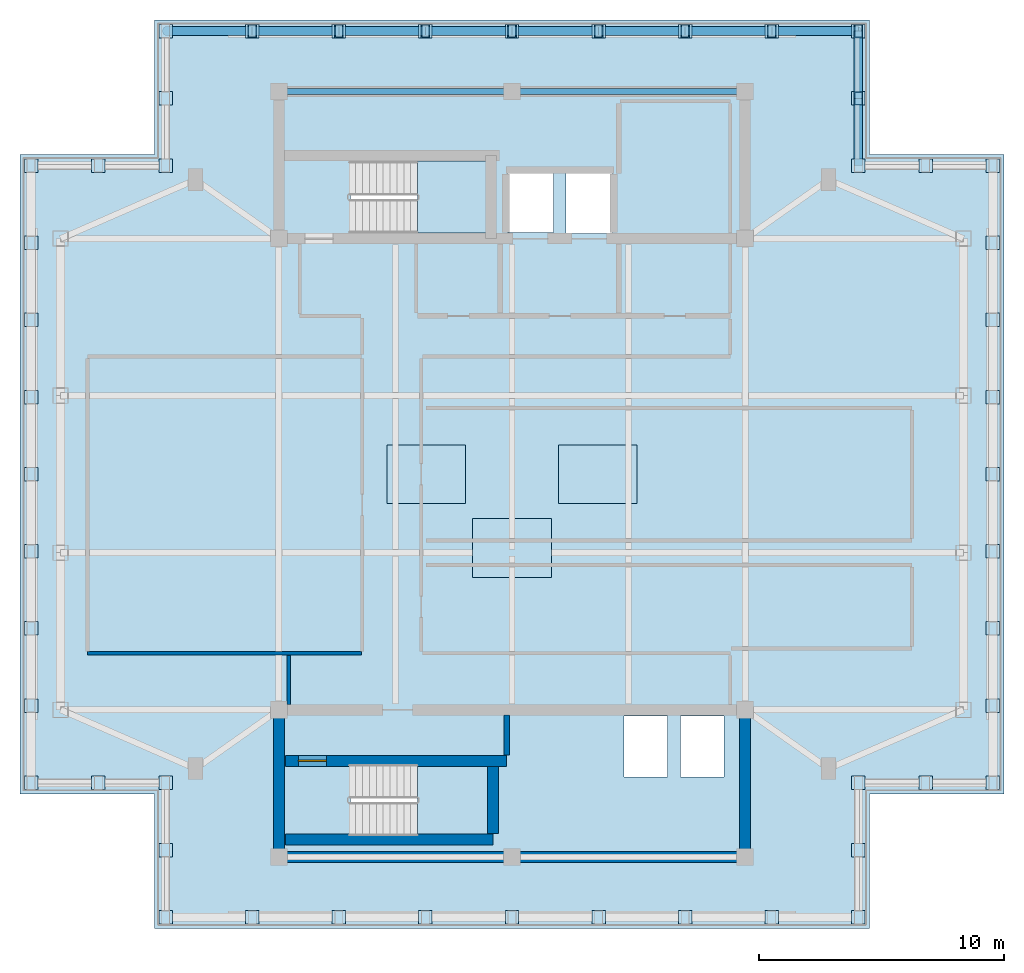
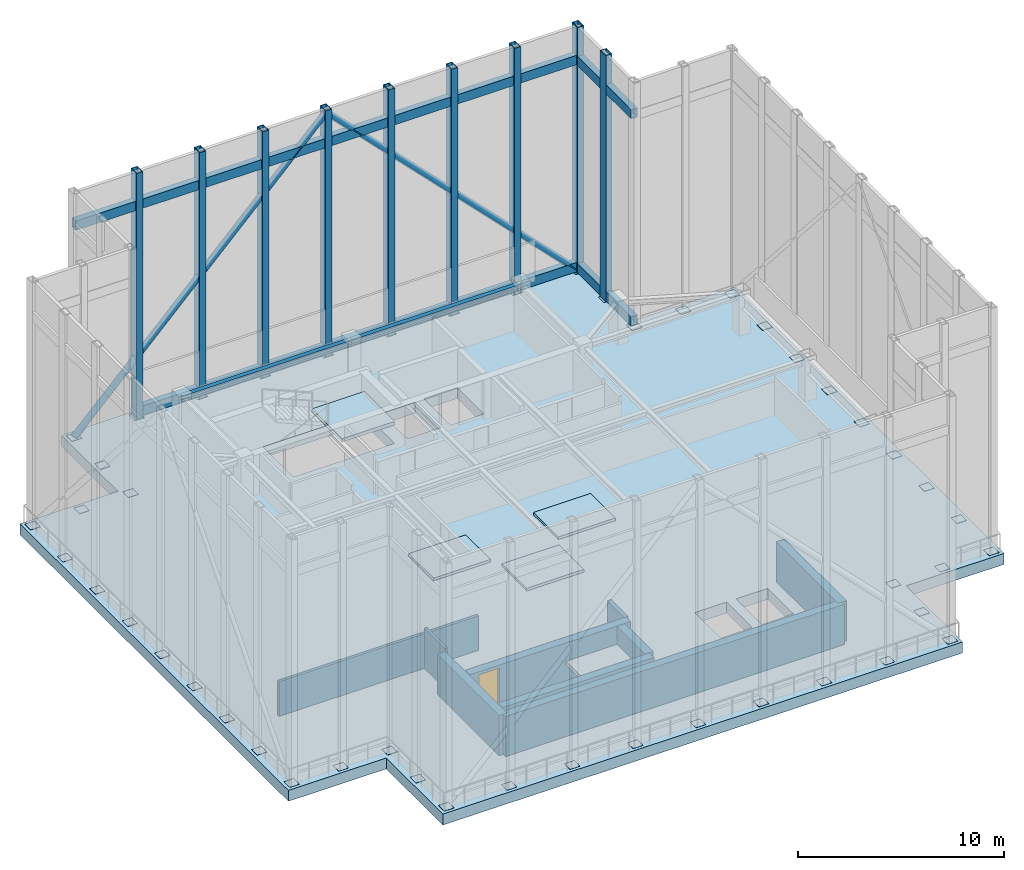
# One storey, part 3 of 8: 48 plates, 30 members, 9 walls, 6 slabs, 2 beams, 1 door, 1 opening, 2 elements without a shape of their own.
"""IFC4 building model written with IfcOpenShell, lengths in metres."""

from ifc_helpers import new_model, si_unit, direction, frame, frame_2d, origin, origin_2d, place, context, subcontext, project, spatial, polyline, rectangle, hollow_rectangle, hollow_circle, i_section, outline, extrude, material, layer, layer_set, material_profile, profile_set, type_object, element, fill, aggregate, save


model = new_model("IFC4")

# Units and contexts
model_context = context("Model", 3, precision=1e-05, world=origin(), true_north=direction((0.0, 1.0)))
body_context = subcontext(model_context, "Body", "Model", "MODEL_VIEW")
ifc_project = project(units=[si_unit("LENGTHUNIT", "METRE"), si_unit("AREAUNIT", "SQUARE_METRE"), si_unit("VOLUMEUNIT", "CUBIC_METRE"), si_unit("PLANEANGLEUNIT", "RADIAN"), si_unit("MASSUNIT", "GRAM", prefix="KILO")], contexts=[model_context])

# Site, building, storey
site_placement = place(None, origin())
site = spatial("IfcSite", under=ifc_project, at=site_placement, CompositionType="ELEMENT")
building_placement = place(site_placement, origin())
building = spatial("IfcBuilding", under=site, at=building_placement, Name="Mirazonda Arch Towers", CompositionType="ELEMENT")
storey_placement = place(building_placement, frame((0.0, 0.0, 263.5)))
storey = spatial("IfcBuildingStorey", under=building, at=storey_placement, Name="L75", CompositionType="ELEMENT", Elevation=263.5)

# Beams
ifc_material_1 = material(Name="Steel ASTM A992 Grade 50", Category="steel")
ifc_material_profile_1 = material_profile(ifc_material_1, i_section(OverallWidth=0.257080078125, OverallDepth=0.330078125, WebThickness=0.011962890625, FlangeThickness=0.01953125, at=origin_2d()), Name="W10X68")
ifc_profile_set_1 = profile_set([ifc_material_profile_1], Name="Steel ASTM A992 Grade 50")
beam_type = type_object("IfcBeamType", Name="BM-INT-W10X68", PredefinedType="BEAM", material=ifc_profile_set_1)
for number, where, z_axis, x_axis, name in (
    (1, (11.0, 43.60009765625, 2.215087890625), (1.0, 0.0, 0.0), (0.0, 1.0, 0.0), "L75 Floor Beam BMC-T1-L75-CN1"),
    (2, (20.5, 43.60009765625, 2.215087890625), (1.0, 0.0, 0.0), (0.0, 1.0, 0.0), "L75 Floor Beam BMC-T1-L75-CN2"),
):
    element("IfcBeam", number, at=place(storey_placement, frame(where, z_axis=z_axis, x_axis=x_axis)), inside=storey, type_object=beam_type, Name=name, PredefinedType="BEAM", context=body_context, shape_type="SweptSolid", body=[
        extrude(i_section(OverallWidth=0.257080078125, OverallDepth=0.330078125, WebThickness=0.011962890625, FlangeThickness=0.01953125, at=origin_2d()), origin(), (0.0, 0.0, 1.0), 9.5),
    ])

# Members
ifc_material_2 = material(Name="Steel ASTM A572 Grade 50", Category="steel")
ifc_material_profile_2 = material_profile(ifc_material_2, hollow_circle(Radius=0.177978515625, WallThickness=0.01611328125, at=origin_2d()), Name="CROWNBRACE356x16CHS")
ifc_profile_set_2 = profile_set([ifc_material_profile_2], Name="Steel ASTM A572 Grade 50")
member_type_1 = type_object("IfcMemberType", Name="MBR-EXT-CROWNBRACE356x16CHS", PredefinedType="BRACE", material=ifc_profile_set_2)
for number, where, z_axis, x_axis, name in (
    (3, (34.614990234375, 46.06005859375, 0.02001953125), (-0.702486709712, 0.0, 0.711696861506), (0.0, -1.0, 0.0), "T1 Ring Crown Diagonal Brace 3A"),
    (4, (6.385009765625, 46.06005859375, 0.02001953125), (0.702486709712, 0.0, 0.711696861506), (0.0, 1.0, 0.0), "T1 Ring Crown Diagonal Brace 3B"),
):
    element("IfcMember", number, at=place(storey_placement, frame(where, z_axis=z_axis, x_axis=x_axis)), inside=storey, type_object=member_type_1, Name=name, PredefinedType="BRACE", context=body_context, shape_type="SweptSolid", body=[
        extrude(hollow_circle(Radius=0.177978515625, WallThickness=0.01611328125, at=origin_2d()), origin(), (0.0, 0.0, 1.0), 20.0927734375),
    ])
ifc_material_profile_3 = material_profile(ifc_material_2, hollow_rectangle(XDim=0.35009765625, YDim=0.550048828125, WallThickness=0.030029296875, at=origin_2d()), Name="CROWNFRAME550x350x30")
ifc_profile_set_3 = profile_set([ifc_material_profile_3], Name="Steel ASTM A572 Grade 50")
member_type_2 = type_object("IfcMemberType", Name="MBR-EXT-CROWNFRAME550x350x30", PredefinedType="USERDEFINED", material=ifc_profile_set_3)
for number, where, z_axis, x_axis, name in (
    (5, (34.614990234375, 43.3173828125, 0.0), (0.0, 0.0, 1.0), (1.0, 0.0, 0.0), "T1 Constructivist Ring Crown Post 24"),
    (6, (34.614990234375, 46.06005859375, 0.0), (0.0, 0.0, 1.0), (1.0, 0.0, 0.0), "T1 Constructivist Ring Crown Post 25"),
    (7, (31.086181640625, 46.06005859375, 0.0), (0.0, 0.0, 1.0), (1.0, 0.0, 0.0), "T1 Constructivist Ring Crown Post 26"),
    (8, (27.5576171875, 46.06005859375, 0.0), (0.0, 0.0, 1.0), (1.0, 0.0, 0.0), "T1 Constructivist Ring Crown Post 27"),
    (9, (24.02880859375, 46.06005859375, 0.0), (0.0, 0.0, 1.0), (1.0, 0.0, 0.0), "T1 Constructivist Ring Crown Post 28"),
    (10, (20.5, 46.06005859375, 0.0), (0.0, 0.0, 1.0), (1.0, 0.0, 0.0), "T1 Constructivist Ring Crown Post 29"),
    (11, (16.97119140625, 46.06005859375, 0.0), (0.0, 0.0, 1.0), (1.0, 0.0, 0.0), "T1 Constructivist Ring Crown Post 30"),
    (12, (13.4423828125, 46.06005859375, 0.0), (0.0, 0.0, 1.0), (1.0, 0.0, 0.0), "T1 Constructivist Ring Crown Post 31"),
    (13, (9.913818359375, 46.06005859375, 0.0), (0.0, 0.0, 1.0), (1.0, 0.0, 0.0), "T1 Constructivist Ring Crown Post 32"),
):
    element("IfcMember", number, at=place(storey_placement, frame(where, z_axis=z_axis, x_axis=x_axis)), inside=storey, type_object=member_type_2, Name=name, ObjectType="CROWN FRAME", PredefinedType="USERDEFINED", context=body_context, shape_type="SweptSolid", body=[
        extrude(hollow_rectangle(XDim=0.35009765625, YDim=0.550048828125, WallThickness=0.030029296875, at=origin_2d()), origin(), (0.0, 0.0, 1.0), 14.60009765625),
    ])
member_1_placement = place(storey_placement, frame((34.614990234375, 40.574951171875, 0.35009765625), z_axis=(0.0, 1.0, 0.0), x_axis=(-1.0, 0.0, 0.0)))
element("IfcMember", 14, at=member_1_placement, inside=storey, type_object=member_type_2, Name="T1 Ring Crown Cap Beam 1-23", ObjectType="CROWN FRAME", PredefinedType="USERDEFINED", context=body_context, shape_type="SweptSolid", body=[
    extrude(hollow_rectangle(XDim=0.35009765625, YDim=0.550048828125, WallThickness=0.030029296875, at=origin_2d()), origin(), (0.0, 0.0, 1.0), 2.742431640625),
])
member_2_placement = place(storey_placement, frame((34.614990234375, 43.3173828125, 0.35009765625), z_axis=(0.0, 1.0, 0.0), x_axis=(-1.0, 0.0, 0.0)))
element("IfcMember", 15, at=member_2_placement, inside=storey, type_object=member_type_2, Name="T1 Ring Crown Cap Beam 1-24", ObjectType="CROWN FRAME", PredefinedType="USERDEFINED", context=body_context, shape_type="SweptSolid", body=[
    extrude(hollow_rectangle(XDim=0.35009765625, YDim=0.550048828125, WallThickness=0.030029296875, at=origin_2d()), origin(), (0.0, 0.0, 1.0), 2.74267578125),
])
member_3_placement = place(storey_placement, frame((34.614990234375, 46.06005859375, 0.35009765625), z_axis=(-1.0, 0.0, 0.0), x_axis=(0.0, -1.0, 0.0)))
element("IfcMember", 16, at=member_3_placement, inside=storey, type_object=member_type_2, Name="T1 Ring Crown Cap Beam 1-25", ObjectType="CROWN FRAME", PredefinedType="USERDEFINED", context=body_context, shape_type="SweptSolid", body=[
    extrude(hollow_rectangle(XDim=0.35009765625, YDim=0.550048828125, WallThickness=0.030029296875, at=origin_2d()), origin(), (0.0, 0.0, 1.0), 3.52880859375),
])
member_4_placement = place(storey_placement, frame((31.086181640625, 46.06005859375, 0.35009765625), z_axis=(-1.0, 0.0, 0.0), x_axis=(0.0, -1.0, 0.0)))
element("IfcMember", 17, at=member_4_placement, inside=storey, type_object=member_type_2, Name="T1 Ring Crown Cap Beam 1-26", ObjectType="CROWN FRAME", PredefinedType="USERDEFINED", context=body_context, shape_type="SweptSolid", body=[
    extrude(hollow_rectangle(XDim=0.35009765625, YDim=0.550048828125, WallThickness=0.030029296875, at=origin_2d()), origin(), (0.0, 0.0, 1.0), 3.528564453125),
])
for number, where, z_axis, x_axis, name in (
    (18, (27.5576171875, 46.06005859375, 0.35009765625), (-1.0, 0.0, 0.0), (0.0, -1.0, 0.0), "T1 Ring Crown Cap Beam 1-27"),
    (19, (24.02880859375, 46.06005859375, 0.35009765625), (-1.0, 0.0, 0.0), (0.0, -1.0, 0.0), "T1 Ring Crown Cap Beam 1-28"),
    (20, (20.5, 46.06005859375, 0.35009765625), (-1.0, 0.0, 0.0), (0.0, -1.0, 0.0), "T1 Ring Crown Cap Beam 1-29"),
    (21, (16.97119140625, 46.06005859375, 0.35009765625), (-1.0, 0.0, 0.0), (0.0, -1.0, 0.0), "T1 Ring Crown Cap Beam 1-30"),
):
    element("IfcMember", number, at=place(storey_placement, frame(where, z_axis=z_axis, x_axis=x_axis)), inside=storey, type_object=member_type_2, Name=name, ObjectType="CROWN FRAME", PredefinedType="USERDEFINED", context=body_context, shape_type="SweptSolid", body=[
        extrude(hollow_rectangle(XDim=0.35009765625, YDim=0.550048828125, WallThickness=0.030029296875, at=origin_2d()), origin(), (0.0, 0.0, 1.0), 3.52880859375),
    ])
member_5_placement = place(storey_placement, frame((13.4423828125, 46.06005859375, 0.35009765625), z_axis=(-1.0, 0.0, 0.0), x_axis=(0.0, -1.0, 0.0)))
element("IfcMember", 22, at=member_5_placement, inside=storey, type_object=member_type_2, Name="T1 Ring Crown Cap Beam 1-31", ObjectType="CROWN FRAME", PredefinedType="USERDEFINED", context=body_context, shape_type="SweptSolid", body=[
    extrude(hollow_rectangle(XDim=0.35009765625, YDim=0.550048828125, WallThickness=0.030029296875, at=origin_2d()), origin(), (0.0, 0.0, 1.0), 3.528564453125),
])
member_6_placement = place(storey_placement, frame((34.614990234375, 40.574951171875, 12.6201171875), z_axis=(0.0, 1.0, 0.0), x_axis=(-1.0, 0.0, 0.0)))
element("IfcMember", 23, at=member_6_placement, inside=storey, type_object=member_type_2, Name="T1 Ring Crown Cap Beam 2-23", ObjectType="CROWN FRAME", PredefinedType="USERDEFINED", context=body_context, shape_type="SweptSolid", body=[
    extrude(hollow_rectangle(XDim=0.35009765625, YDim=0.550048828125, WallThickness=0.030029296875, at=origin_2d()), origin(), (0.0, 0.0, 1.0), 2.742431640625),
])
member_7_placement = place(storey_placement, frame((34.614990234375, 43.3173828125, 12.6201171875), z_axis=(0.0, 1.0, 0.0), x_axis=(-1.0, 0.0, 0.0)))
element("IfcMember", 24, at=member_7_placement, inside=storey, type_object=member_type_2, Name="T1 Ring Crown Cap Beam 2-24", ObjectType="CROWN FRAME", PredefinedType="USERDEFINED", context=body_context, shape_type="SweptSolid", body=[
    extrude(hollow_rectangle(XDim=0.35009765625, YDim=0.550048828125, WallThickness=0.030029296875, at=origin_2d()), origin(), (0.0, 0.0, 1.0), 2.74267578125),
])
member_8_placement = place(storey_placement, frame((34.614990234375, 46.06005859375, 12.6201171875), z_axis=(-1.0, 0.0, 0.0), x_axis=(0.0, -1.0, 0.0)))
element("IfcMember", 25, at=member_8_placement, inside=storey, type_object=member_type_2, Name="T1 Ring Crown Cap Beam 2-25", ObjectType="CROWN FRAME", PredefinedType="USERDEFINED", context=body_context, shape_type="SweptSolid", body=[
    extrude(hollow_rectangle(XDim=0.35009765625, YDim=0.550048828125, WallThickness=0.030029296875, at=origin_2d()), origin(), (0.0, 0.0, 1.0), 3.52880859375),
])
member_9_placement = place(storey_placement, frame((31.086181640625, 46.06005859375, 12.6201171875), z_axis=(-1.0, 0.0, 0.0), x_axis=(0.0, -1.0, 0.0)))
element("IfcMember", 26, at=member_9_placement, inside=storey, type_object=member_type_2, Name="T1 Ring Crown Cap Beam 2-26", ObjectType="CROWN FRAME", PredefinedType="USERDEFINED", context=body_context, shape_type="SweptSolid", body=[
    extrude(hollow_rectangle(XDim=0.35009765625, YDim=0.550048828125, WallThickness=0.030029296875, at=origin_2d()), origin(), (0.0, 0.0, 1.0), 3.528564453125),
])
for number, where, z_axis, x_axis, name in (
    (27, (27.5576171875, 46.06005859375, 12.6201171875), (-1.0, 0.0, 0.0), (0.0, -1.0, 0.0), "T1 Ring Crown Cap Beam 2-27"),
    (28, (24.02880859375, 46.06005859375, 12.6201171875), (-1.0, 0.0, 0.0), (0.0, -1.0, 0.0), "T1 Ring Crown Cap Beam 2-28"),
    (29, (20.5, 46.06005859375, 12.6201171875), (-1.0, 0.0, 0.0), (0.0, -1.0, 0.0), "T1 Ring Crown Cap Beam 2-29"),
    (30, (16.97119140625, 46.06005859375, 12.6201171875), (-1.0, 0.0, 0.0), (0.0, -1.0, 0.0), "T1 Ring Crown Cap Beam 2-30"),
):
    element("IfcMember", number, at=place(storey_placement, frame(where, z_axis=z_axis, x_axis=x_axis)), inside=storey, type_object=member_type_2, Name=name, ObjectType="CROWN FRAME", PredefinedType="USERDEFINED", context=body_context, shape_type="SweptSolid", body=[
        extrude(hollow_rectangle(XDim=0.35009765625, YDim=0.550048828125, WallThickness=0.030029296875, at=origin_2d()), origin(), (0.0, 0.0, 1.0), 3.52880859375),
    ])
member_10_placement = place(storey_placement, frame((13.4423828125, 46.06005859375, 12.6201171875), z_axis=(-1.0, 0.0, 0.0), x_axis=(0.0, -1.0, 0.0)))
element("IfcMember", 31, at=member_10_placement, inside=storey, type_object=member_type_2, Name="T1 Ring Crown Cap Beam 2-31", ObjectType="CROWN FRAME", PredefinedType="USERDEFINED", context=body_context, shape_type="SweptSolid", body=[
    extrude(hollow_rectangle(XDim=0.35009765625, YDim=0.550048828125, WallThickness=0.030029296875, at=origin_2d()), origin(), (0.0, 0.0, 1.0), 3.528564453125),
])
member_11_placement = place(storey_placement, frame((9.913818359375, 46.06005859375, 12.6201171875), z_axis=(-1.0, 0.0, 0.0), x_axis=(0.0, -1.0, 0.0)))
element("IfcMember", 32, at=member_11_placement, inside=storey, type_object=member_type_2, Name="T1 Ring Crown Cap Beam 2-32", ObjectType="CROWN FRAME", PredefinedType="USERDEFINED", context=body_context, shape_type="SweptSolid", body=[
    extrude(hollow_rectangle(XDim=0.35009765625, YDim=0.550048828125, WallThickness=0.030029296875, at=origin_2d()), origin(), (0.0, 0.0, 1.0), 3.52880859375),
])

# Plates
ifc_layer_1 = layer(ifc_material_2, 0.030029296875, Name="PLATE-CAP-550x550x30")
ifc_layer_set_1 = layer_set([ifc_layer_1], Name="Steel ASTM A572 Grade 50")
plate_type = type_object("IfcPlateType", Name="PLATE-CAP-550x550x30", PredefinedType="USERDEFINED", material=ifc_layer_set_1)
for number, where, z_axis, x_axis, name in (
    (33, (6.385009765625, 9.93994140625, -0.028076171875), (0.0, 0.0, 1.0), (1.0, 0.0, 0.0), "Steel end closure plate NP-CRN-T1-P01B"),
    (34, (9.913818359375, 9.93994140625, -0.028076171875), (0.0, 0.0, 1.0), (1.0, 0.0, 0.0), "Steel end closure plate NP-CRN-T1-P02B"),
    (35, (13.4423828125, 9.93994140625, -0.028076171875), (0.0, 0.0, 1.0), (1.0, 0.0, 0.0), "Steel end closure plate NP-CRN-T1-P03B"),
    (36, (16.97119140625, 9.93994140625, -0.028076171875), (0.0, 0.0, 1.0), (1.0, 0.0, 0.0), "Steel end closure plate NP-CRN-T1-P04B"),
    (37, (20.5, 9.93994140625, -0.028076171875), (0.0, 0.0, 1.0), (1.0, 0.0, 0.0), "Steel end closure plate NP-CRN-T1-P05B"),
    (38, (24.02880859375, 9.93994140625, -0.028076171875), (0.0, 0.0, 1.0), (1.0, 0.0, 0.0), "Steel end closure plate NP-CRN-T1-P06B"),
    (39, (27.5576171875, 9.93994140625, -0.028076171875), (0.0, 0.0, 1.0), (1.0, 0.0, 0.0), "Steel end closure plate NP-CRN-T1-P07B"),
    (40, (31.086181640625, 9.93994140625, -0.028076171875), (0.0, 0.0, 1.0), (1.0, 0.0, 0.0), "Steel end closure plate NP-CRN-T1-P08B"),
    (41, (34.614990234375, 9.93994140625, -0.028076171875), (0.0, 0.0, 1.0), (1.0, 0.0, 0.0), "Steel end closure plate NP-CRN-T1-P09B"),
    (42, (34.614990234375, 12.6826171875, -0.028076171875), (0.0, 0.0, 1.0), (1.0, 0.0, 0.0), "Steel end closure plate NP-CRN-T1-P10B"),
    (43, (34.614990234375, 15.425048828125, -0.028076171875), (0.0, 0.0, 1.0), (1.0, 0.0, 0.0), "Steel end closure plate NP-CRN-T1-P11B"),
    (44, (37.357421875, 15.425048828125, -0.028076171875), (0.0, 0.0, 1.0), (1.0, 0.0, 0.0), "Steel end closure plate NP-CRN-T1-P12B"),
    (45, (40.10009765625, 15.425048828125, -0.028076171875), (0.0, 0.0, 1.0), (1.0, 0.0, 0.0), "Steel end closure plate NP-CRN-T1-P13B"),
    (46, (40.10009765625, 18.56884765625, -0.028076171875), (0.0, 0.0, 1.0), (1.0, 0.0, 0.0), "Steel end closure plate NP-CRN-T1-P14B"),
    (47, (40.10009765625, 21.71240234375, -0.028076171875), (0.0, 0.0, 1.0), (1.0, 0.0, 0.0), "Steel end closure plate NP-CRN-T1-P15B"),
    (48, (40.10009765625, 24.856201171875, -0.028076171875), (0.0, 0.0, 1.0), (1.0, 0.0, 0.0), "Steel end closure plate NP-CRN-T1-P16B"),
    (49, (40.10009765625, 28.0, -0.028076171875), (0.0, 0.0, 1.0), (1.0, 0.0, 0.0), "Steel end closure plate NP-CRN-T1-P17B"),
    (50, (40.10009765625, 31.143798828125, -0.028076171875), (0.0, 0.0, 1.0), (1.0, 0.0, 0.0), "Steel end closure plate NP-CRN-T1-P18B"),
    (51, (40.10009765625, 34.28759765625, -0.028076171875), (0.0, 0.0, 1.0), (1.0, 0.0, 0.0), "Steel end closure plate NP-CRN-T1-P19B"),
    (52, (40.10009765625, 37.431396484375, -0.028076171875), (0.0, 0.0, 1.0), (1.0, 0.0, 0.0), "Steel end closure plate NP-CRN-T1-P20B"),
    (53, (40.10009765625, 40.574951171875, -0.028076171875), (0.0, 0.0, 1.0), (1.0, 0.0, 0.0), "Steel end closure plate NP-CRN-T1-P21B"),
    (54, (37.357421875, 40.574951171875, -0.028076171875), (0.0, 0.0, 1.0), (1.0, 0.0, 0.0), "Steel end closure plate NP-CRN-T1-P22B"),
    (55, (34.614990234375, 40.574951171875, -0.028076171875), (0.0, 0.0, 1.0), (1.0, 0.0, 0.0), "Steel end closure plate NP-CRN-T1-P23B"),
    (56, (34.614990234375, 43.3173828125, -0.028076171875), (0.0, 0.0, 1.0), (1.0, 0.0, 0.0), "Steel end closure plate NP-CRN-T1-P24B"),
    (57, (34.614990234375, 46.06005859375, -0.028076171875), (0.0, 0.0, 1.0), (1.0, 0.0, 0.0), "Steel end closure plate NP-CRN-T1-P25B"),
    (58, (31.086181640625, 46.06005859375, -0.028076171875), (0.0, 0.0, 1.0), (1.0, 0.0, 0.0), "Steel end closure plate NP-CRN-T1-P26B"),
    (59, (27.5576171875, 46.06005859375, -0.028076171875), (0.0, 0.0, 1.0), (1.0, 0.0, 0.0), "Steel end closure plate NP-CRN-T1-P27B"),
    (60, (24.02880859375, 46.06005859375, -0.028076171875), (0.0, 0.0, 1.0), (1.0, 0.0, 0.0), "Steel end closure plate NP-CRN-T1-P28B"),
    (61, (20.5, 46.06005859375, -0.028076171875), (0.0, 0.0, 1.0), (1.0, 0.0, 0.0), "Steel end closure plate NP-CRN-T1-P29B"),
    (62, (16.97119140625, 46.06005859375, -0.028076171875), (0.0, 0.0, 1.0), (1.0, 0.0, 0.0), "Steel end closure plate NP-CRN-T1-P30B"),
    (63, (13.4423828125, 46.06005859375, -0.028076171875), (0.0, 0.0, 1.0), (1.0, 0.0, 0.0), "Steel end closure plate NP-CRN-T1-P31B"),
    (64, (9.913818359375, 46.06005859375, -0.028076171875), (0.0, 0.0, 1.0), (1.0, 0.0, 0.0), "Steel end closure plate NP-CRN-T1-P32B"),
    (65, (6.385009765625, 46.06005859375, -0.028076171875), (0.0, 0.0, 1.0), (1.0, 0.0, 0.0), "Steel end closure plate NP-CRN-T1-P33B"),
    (66, (6.385009765625, 43.3173828125, -0.028076171875), (0.0, 0.0, 1.0), (1.0, 0.0, 0.0), "Steel end closure plate NP-CRN-T1-P34B"),
    (67, (6.385009765625, 40.574951171875, -0.028076171875), (0.0, 0.0, 1.0), (1.0, 0.0, 0.0), "Steel end closure plate NP-CRN-T1-P35B"),
    (68, (3.642578125, 40.574951171875, -0.028076171875), (0.0, 0.0, 1.0), (1.0, 0.0, 0.0), "Steel end closure plate NP-CRN-T1-P36B"),
    (69, (0.89990234375, 40.574951171875, -0.028076171875), (0.0, 0.0, 1.0), (1.0, 0.0, 0.0), "Steel end closure plate NP-CRN-T1-P37B"),
    (70, (0.89990234375, 37.431396484375, -0.028076171875), (0.0, 0.0, 1.0), (1.0, 0.0, 0.0), "Steel end closure plate NP-CRN-T1-P38B"),
    (71, (0.89990234375, 34.28759765625, -0.028076171875), (0.0, 0.0, 1.0), (1.0, 0.0, 0.0), "Steel end closure plate NP-CRN-T1-P39B"),
    (72, (0.89990234375, 31.143798828125, -0.028076171875), (0.0, 0.0, 1.0), (1.0, 0.0, 0.0), "Steel end closure plate NP-CRN-T1-P40B"),
    (73, (0.89990234375, 28.0, -0.028076171875), (0.0, 0.0, 1.0), (1.0, 0.0, 0.0), "Steel end closure plate NP-CRN-T1-P41B"),
    (74, (0.89990234375, 24.856201171875, -0.028076171875), (0.0, 0.0, 1.0), (1.0, 0.0, 0.0), "Steel end closure plate NP-CRN-T1-P42B"),
    (75, (0.89990234375, 21.71240234375, -0.028076171875), (0.0, 0.0, 1.0), (1.0, 0.0, 0.0), "Steel end closure plate NP-CRN-T1-P43B"),
    (76, (0.89990234375, 18.56884765625, -0.028076171875), (0.0, 0.0, 1.0), (1.0, 0.0, 0.0), "Steel end closure plate NP-CRN-T1-P44B"),
    (77, (0.89990234375, 15.425048828125, -0.028076171875), (0.0, 0.0, 1.0), (1.0, 0.0, 0.0), "Steel end closure plate NP-CRN-T1-P45B"),
    (78, (3.642578125, 15.425048828125, -0.028076171875), (0.0, 0.0, 1.0), (1.0, 0.0, 0.0), "Steel end closure plate NP-CRN-T1-P46B"),
    (79, (6.385009765625, 15.425048828125, -0.028076171875), (0.0, 0.0, 1.0), (1.0, 0.0, 0.0), "Steel end closure plate NP-CRN-T1-P47B"),
    (80, (6.385009765625, 12.6826171875, -0.028076171875), (0.0, 0.0, 1.0), (1.0, 0.0, 0.0), "Steel end closure plate NP-CRN-T1-P48B"),
):
    element("IfcPlate", number, at=place(storey_placement, frame(where, z_axis=z_axis, x_axis=x_axis)), inside=storey, type_object=plate_type, Name=name, ObjectType="CAP PLATE", PredefinedType="USERDEFINED", context=body_context, shape_type="SweptSolid", body=[
        extrude(rectangle(XDim=0.550048828125, YDim=0.550048828125, at=origin_2d()), origin(), (0.0, 0.0, 1.0), 0.0400390625),
    ])

# Stair, slab
ifc_material_3 = material(Name="Concrete C40/50", Category="concrete")
stair_type = type_object("IfcStairType", Name="STAIR-CORE-1400", PredefinedType="HALF_TURN_STAIR", material=ifc_material_3)
stair_1_placement = place(storey_placement, origin())
stair_1 = element("IfcStair", 81, at=stair_1_placement, inside=storey, type_object=stair_type, Name="L75 Protected Exit Stair ST-T1N", PredefinedType="HALF_TURN_STAIR")
ifc_layer_2 = layer(ifc_material_3, 0.18994140625, Name="SLAB-LANDING-190")
ifc_layer_set_2 = layer_set([ifc_layer_2], Name="Concrete C40/50")
slab_type_1 = type_object("IfcSlabType", Name="SLAB-LANDING-190", PredefinedType="LANDING", material=ifc_layer_set_2)
slab_1_placement = place(storey_placement, frame((0.0, 0.0, 1.10009765625)))
slab_1 = element("IfcSlab", 82, at=slab_1_placement, type_object=slab_type_1, Name="ST-T1N landing 1", PredefinedType="LANDING", context=body_context, shape_type="SweptSolid", body=[
    extrude(outline(polyline([(16.64990234375, 37.820068359375), (19.60009765625, 37.820068359375), (19.60009765625, 40.760009765625), (16.64990234375, 40.760009765625), (16.64990234375, 37.820068359375)])), origin(), (0.0, 0.0, 1.0), 0.199951171875),
])
aggregate(stair_1, [slab_1])

stair_2_placement = place(storey_placement, origin())
stair_2 = element("IfcStair", 83, at=stair_2_placement, inside=storey, type_object=stair_type, Name="L75 Protected Exit Stair ST-T1S", PredefinedType="HALF_TURN_STAIR")
slab_2_placement = place(storey_placement, frame((0.0, 0.0, 1.10009765625)))
slab_2 = element("IfcSlab", 84, at=slab_2_placement, type_object=slab_type_1, Name="ST-T1S landing 1", PredefinedType="LANDING", context=body_context, shape_type="SweptSolid", body=[
    extrude(outline(polyline([(16.64990234375, 13.25), (19.60009765625, 13.25), (19.60009765625, 16.18994140625), (16.64990234375, 16.18994140625), (16.64990234375, 13.25)])), origin(), (0.0, 0.0, 1.0), 0.199951171875),
])
aggregate(stair_2, [slab_2])

# Slabs
ifc_layer_3 = layer(ifc_material_3, 0.159912109375, Name="SLAB-PLINTH-160")
ifc_layer_set_3 = layer_set([ifc_layer_3], Name="Concrete C40/50")
slab_type_2 = type_object("IfcSlabType", Name="SLAB-PLINTH-160", PredefinedType="FLOOR", material=ifc_layer_set_3)
slab_3_placement = place(storey_placement, origin())
element("IfcSlab", 85, at=slab_3_placement, inside=storey, type_object=slab_type_2, Name="T1 Crown Mechanical Equipment Plinth 1", PredefinedType="FLOOR", context=body_context, shape_type="SweptSolid", body=[
    extrude(outline(polyline([(15.39990234375, 26.800048828125), (18.60009765625, 26.800048828125), (18.60009765625, 29.199951171875), (15.39990234375, 29.199951171875), (15.39990234375, 26.800048828125)])), origin(), (0.0, 0.0, 1.0), 0.159912109375),
])
slab_4_placement = place(storey_placement, origin())
element("IfcSlab", 86, at=slab_4_placement, inside=storey, type_object=slab_type_2, Name="T1 Crown Mechanical Equipment Plinth 2", PredefinedType="FLOOR", context=body_context, shape_type="SweptSolid", body=[
    extrude(outline(polyline([(22.39990234375, 26.800048828125), (25.60009765625, 26.800048828125), (25.60009765625, 29.199951171875), (22.39990234375, 29.199951171875), (22.39990234375, 26.800048828125)])), origin(), (0.0, 0.0, 1.0), 0.159912109375),
])
slab_5_placement = place(storey_placement, origin())
element("IfcSlab", 87, at=slab_5_placement, inside=storey, type_object=slab_type_2, Name="T1 Crown Mechanical Equipment Plinth 3", PredefinedType="FLOOR", context=body_context, shape_type="SweptSolid", body=[
    extrude(outline(polyline([(18.89990234375, 23.800048828125), (22.10009765625, 23.800048828125), (22.10009765625, 26.199951171875), (18.89990234375, 26.199951171875), (18.89990234375, 23.800048828125)])), origin(), (0.0, 0.0, 1.0), 0.159912109375),
])
ifc_material_4 = material(Name="Concrete C50/60", Category="concrete")
ifc_layer_4 = layer(ifc_material_4, 0.64990234375, Name="SLAB-TRANSFER-650")
ifc_layer_set_4 = layer_set([ifc_layer_4], Name="Concrete C50/60")
slab_type_3 = type_object("IfcSlabType", Name="SLAB-TRANSFER-650", PredefinedType="FLOOR", material=ifc_layer_set_4)
slab_6_placement = place(storey_placement, frame((0.0, 0.0, -0.64990234375)))
element("IfcSlab", 88, at=slab_6_placement, inside=storey, type_object=slab_type_3, Name="L75 Tower 1 Floor Slab", PredefinedType="FLOOR", context=body_context, shape_type="SweptSolid", body=[
    extrude(outline(polyline([(5.93505859375, 9.489990234375), (35.06494140625, 9.489990234375), (35.06494140625, 14.97509765625), (40.550048828125, 14.97509765625), (40.550048828125, 41.02490234375), (35.06494140625, 41.02490234375), (35.06494140625, 46.510009765625), (5.93505859375, 46.510009765625), (5.93505859375, 41.02490234375), (0.449951171875, 41.02490234375), (0.449951171875, 14.97509765625), (5.93505859375, 14.97509765625), (5.93505859375, 9.489990234375)]), holes=[polyline([(27.360107421875, 18.139892578125), (29.139892578125, 18.139892578125), (29.139892578125, 15.659912109375), (27.360107421875, 15.659912109375), (27.360107421875, 18.139892578125)]), polyline([(25.06005859375, 18.139892578125), (26.840087890625, 18.139892578125), (26.840087890625, 15.659912109375), (25.06005859375, 15.659912109375), (25.06005859375, 18.139892578125)]), polyline([(22.7099609375, 40.389892578125), (24.590087890625, 40.389892578125), (24.590087890625, 37.81005859375), (22.7099609375, 37.81005859375), (22.7099609375, 40.389892578125)]), polyline([(20.31005859375, 37.860107421875), (20.31005859375, 40.340087890625), (22.18994140625, 40.340087890625), (22.18994140625, 37.860107421875), (20.31005859375, 37.860107421875)]), polyline([(19.60009765625, 13.25), (13.925048828125, 13.25), (13.925048828125, 16.18994140625), (19.60009765625, 16.18994140625), (19.60009765625, 13.25)]), polyline([(13.925048828125, 37.820068359375), (13.925048828125, 40.760009765625), (19.60009765625, 40.760009765625), (19.60009765625, 37.820068359375), (13.925048828125, 37.820068359375)])]), origin(), (0.0, 0.0, 1.0), 0.64990234375),
])

# Walls
ifc_layer_5 = layer(ifc_material_4, 0.449951171875, Name="WALL-CORE-450")
ifc_layer_set_5 = layer_set([ifc_layer_5], Name="Concrete C50/60")
wall_type_1 = type_object("IfcWallType", Name="WALL-CORE-450", PredefinedType="SHEAR", material=ifc_layer_set_5)
wall_1_placement = place(storey_placement, frame((11.0, 12.39990234375, 0.0), z_axis=(0.0, 0.0, 1.0), x_axis=(1.0, 0.0, 0.0)))
element("IfcWall", 89, at=wall_1_placement, inside=storey, type_object=wall_type_1, Name="L75 T1S-S Core Shear Wall", PredefinedType="SHEAR", context=body_context, shape_type="SweptSolid", body=[
    extrude(rectangle(XDim=19.0, YDim=0.449951171875, at=frame_2d((9.5, 0.0))), origin(), (0.0, 0.0, 1.0), 2.3798828125),
])
for number, where, z_axis, x_axis, name in (
    (90, (11.0, 12.39990234375, 0.0), (0.0, 0.0, 1.0), (0.0, 1.0, 0.0), "L75 T1S-W Core Shear Wall"),
    (91, (30.0, 12.39990234375, 0.0), (0.0, 0.0, 1.0), (0.0, 1.0, 0.0), "L75 T1S-E Core Shear Wall"),
):
    element("IfcWall", number, at=place(storey_placement, frame(where, z_axis=z_axis, x_axis=x_axis)), inside=storey, type_object=wall_type_1, Name=name, PredefinedType="SHEAR", context=body_context, shape_type="SweptSolid", body=[
        extrude(rectangle(XDim=6.0, YDim=0.449951171875, at=frame_2d((3.0, 0.0))), origin(), (0.0, 0.0, 1.0), 2.3798828125),
    ])
wall_2_placement = place(storey_placement, frame((11.27001953125, 13.1201171875, 0.0), z_axis=(0.0, 0.0, 1.0), x_axis=(1.0, 0.0, 0.0)))
element("IfcWall", 92, at=wall_2_placement, inside=storey, type_object=wall_type_1, Name="L75 Stair Core Shear Wall 001", PredefinedType="SHEAR", context=body_context, shape_type="SweptSolid", body=[
    extrude(rectangle(XDim=8.4599609375, YDim=0.449951171875, at=frame_2d((4.22998046875, 0.0))), origin(), (0.0, 0.0, 1.0), 2.3798828125),
])

# Wall, opening, door
wall_3_placement = place(storey_placement, frame((11.27001953125, 16.320068359375, 0.0), z_axis=(0.0, 0.0, 1.0), x_axis=(1.0, 0.0, 0.0)))
wall_3 = element("IfcWall", 93, at=wall_3_placement, inside=storey, type_object=wall_type_1, Name="L75 Stair Core Shear Wall 002", PredefinedType="SHEAR", context=body_context, shape_type="SweptSolid", body=[
    extrude(rectangle(XDim=9.010009765625, YDim=0.449951171875, at=frame_2d((4.5048828125, 0.0))), origin(), (0.0, 0.0, 1.0), 2.3798828125),
])
opening_placement = place(wall_3_placement, frame((0.52001953125, 0.0, 0.0)))
opening = element("IfcOpeningElement", 94, at=opening_placement, cuts=wall_3, Name="Opening DR-135", PredefinedType="OPENING", context=body_context, shape_type="SweptSolid", body=[
    extrude(rectangle(XDim=1.14990234375, YDim=2.199951171875, at=frame_2d((0.574951171875, 1.10009765625))), frame((0.0, 0.23486328125, 0.0), z_axis=(0.0, -1.0, 0.0), x_axis=(1.0, 0.0, 0.0)), (0.0, 0.0, 1.0), 0.469970703125),
])
ifc_material_5 = material(Name="Architectural Brushed Steel S355", Category="steel")
door_type = type_object("IfcDoorType", Name="DOOR-STAIR-FD90-1150", OperationType="NOTDEFINED", PredefinedType="DOOR", material=ifc_material_5)
door_placement = place(opening_placement, origin())
door = element("IfcDoor", 95, at=door_placement, inside=storey, type_object=door_type, Name="L75 Protected Exit Stair South Door", OperationType="SINGLE_SWING_LEFT", OverallHeight=2.199951171875, OverallWidth=1.14990234375, PredefinedType="DOOR", context=body_context, shape_type="SweptSolid", body=[
    extrude(rectangle(XDim=1.14990234375, YDim=2.199951171875, at=frame_2d((0.574951171875, 1.10009765625))), frame((0.0, 0.02490234375, 0.0), z_axis=(0.0, -1.0, 0.0), x_axis=(1.0, 0.0, 0.0)), (0.0, 0.0, 1.0), 0.050048828125),
])
fill(opening, door)

# Walls
wall_4_placement = place(storey_placement, frame((19.72998046875, 13.35498046875, 0.0), z_axis=(0.0, 0.0, 1.0), x_axis=(0.0, 1.0, 0.0)))
element("IfcWall", 96, at=wall_4_placement, inside=storey, type_object=wall_type_1, Name="L75 Stair Core Shear Wall 022", PredefinedType="SHEAR", context=body_context, shape_type="SweptSolid", body=[
    extrude(rectangle(XDim=2.72998046875, YDim=0.449951171875, at=frame_2d((1.364990234375, 0.0))), origin(), (0.0, 0.0, 1.0), 2.3798828125),
])
ifc_layer_6 = layer(ifc_material_3, 0.219970703125, Name="WALL-FFL-220")
ifc_layer_set_6 = layer_set([ifc_layer_6], Name="Concrete C40/50")
wall_type_2 = type_object("IfcWallType", Name="WALL-FFL-220", PredefinedType="SOLIDWALL", material=ifc_layer_set_6)
wall_5_placement = place(storey_placement, frame((20.280029296875, 16.554931640625, 0.0), z_axis=(0.0, 0.0, 1.0), x_axis=(0.0, 1.0, 0.0)))
element("IfcWall", 97, at=wall_5_placement, inside=storey, type_object=wall_type_2, Name="L75 Interior Partition 024", PredefinedType="SOLIDWALL", context=body_context, shape_type="SweptSolid", body=[
    extrude(rectangle(XDim=1.625, YDim=0.219970703125, at=frame_2d((0.8125, 0.0))), origin(), (0.0, 0.0, 1.0), 2.3798828125),
])
ifc_material_6 = material(Name="Fire-Rated Gypsum Stud Partition")
ifc_layer_7 = layer(ifc_material_6, 0.14990234375, Name="WALL-PART-CORR-150")
ifc_layer_set_7 = layer_set([ifc_layer_7], Name="Fire-Rated Gypsum Stud Partition")
wall_type_3 = type_object("IfcWallType", Name="WALL-PART-CORR-150", PredefinedType="PARTITIONING", material=ifc_layer_set_7)
wall_6_placement = place(storey_placement, frame((3.199951171875, 20.699951171875, 0.0), z_axis=(0.0, 0.0, 1.0), x_axis=(1.0, 0.0, 0.0)))
element("IfcWall", 98, at=wall_6_placement, inside=storey, type_object=wall_type_3, Name="L75 Interior Partition 003", PredefinedType="PARTITIONING", context=body_context, shape_type="SweptSolid", body=[
    extrude(rectangle(XDim=11.16015625, YDim=0.14990234375, at=frame_2d((5.580078125, 0.0))), origin(), (0.0, 0.0, 1.0), 2.0419921875),
])
wall_7_placement = place(storey_placement, frame((11.39990234375, 18.6201171875, 0.0), z_axis=(0.0, 0.0, 1.0), x_axis=(0.0, 1.0, 0.0)))
element("IfcWall", 99, at=wall_7_placement, inside=storey, type_object=wall_type_3, Name="L75 Interior Partition 016", PredefinedType="PARTITIONING", context=body_context, shape_type="SweptSolid", body=[
    extrude(rectangle(XDim=1.994873046875, YDim=0.14990234375, at=frame_2d((0.99755859375, 0.0))), origin(), (0.0, 0.0, 1.0), 2.3798828125),
])

save(model, "model.ifc")
